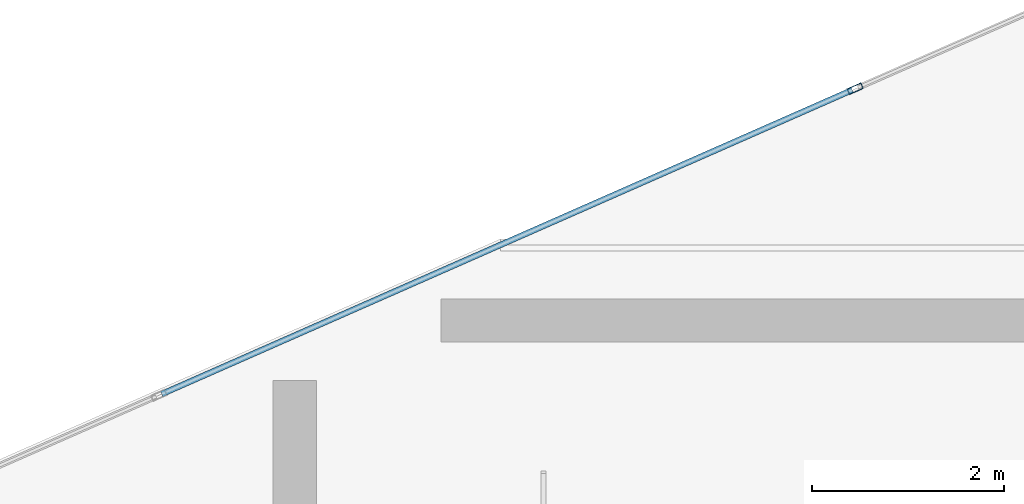
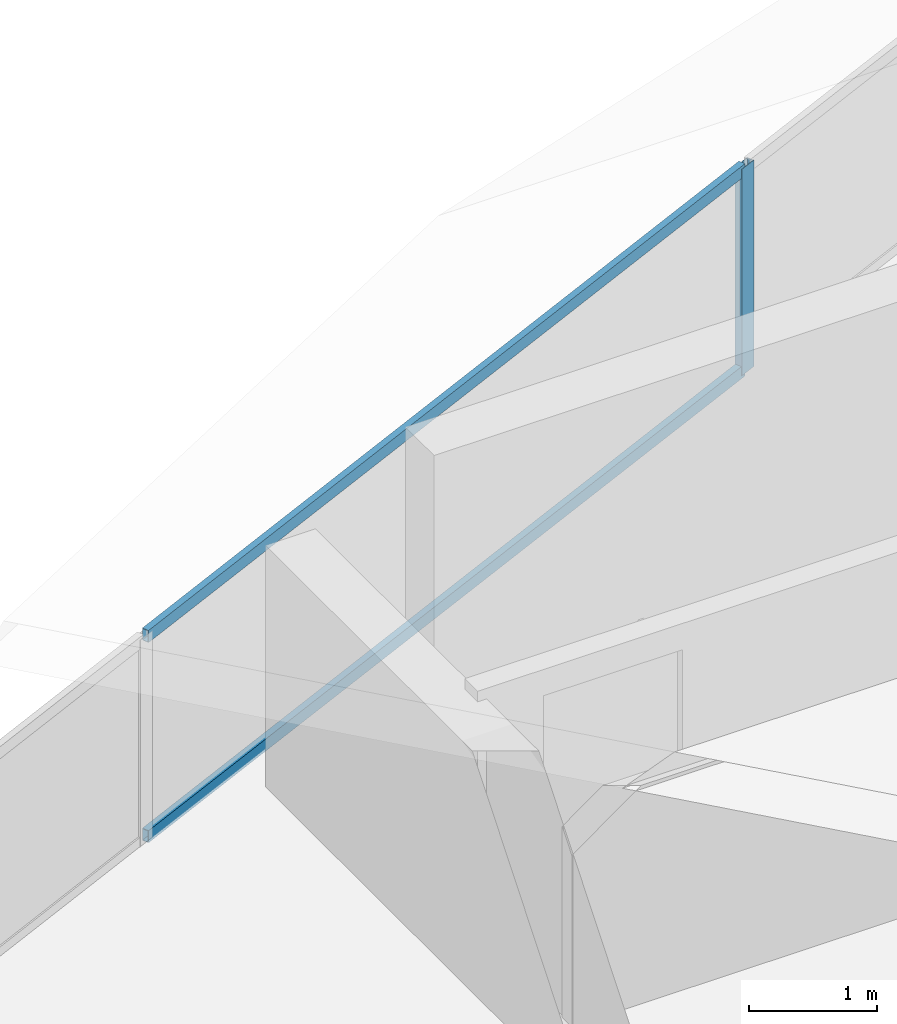
# One storey, part 8 of 13: 3 members, 1 element without a shape of its own.
"""IFC4 building model written with IfcOpenShell, lengths in metres."""

from ifc_helpers import new_model, si_unit, direction, frame, origin, origin_2d, place, context, subcontext, project, spatial, hollow_rectangle, extrude, material, layer, layer_set, material_profile, profile_set, type_object, element, aggregate, save


model = new_model("IFC4")

# Units and contexts
model_context = context("Model", 3, precision=1e-05, world=origin(), true_north=direction((0.0, 1.0)))
body_context = subcontext(model_context, "Body", "Model", "MODEL_VIEW")
ifc_project = project(units=[si_unit("LENGTHUNIT", "METRE"), si_unit("AREAUNIT", "SQUARE_METRE"), si_unit("VOLUMEUNIT", "CUBIC_METRE"), si_unit("PLANEANGLEUNIT", "RADIAN"), si_unit("MASSUNIT", "GRAM", prefix="KILO")], contexts=[model_context])

# Site, building, storey
site_placement = place(None, origin())
site = spatial("IfcSite", under=ifc_project, at=site_placement, CompositionType="ELEMENT")
building_placement = place(site_placement, origin())
building = spatial("IfcBuilding", under=site, at=building_placement, Name="Qianvela Tower", CompositionType="ELEMENT")
storey_placement = place(building_placement, frame((0.0, 0.0, 375.050048828125)))
storey = spatial("IfcBuildingStorey", under=building, at=storey_placement, Name="L97", CompositionType="ELEMENT", Elevation=375.050048828125)

# Curtain wall, members
ifc_material_1 = material(Name="Anodised Architectural Aluminium and Low-E Glass", Category="aluminium")
ifc_layer = layer(ifc_material_1, 0.159912109375)
ifc_layer_set = layer_set([ifc_layer], Name="Anodised Architectural Aluminium and Low-E Glass")
curtain_wall_type = type_object("IfcCurtainWallType", Name="CW-CROWN", PredefinedType="USERDEFINED", material=ifc_layer_set)
curtain_wall_placement = place(storey_placement, origin())
curtain_wall = element("IfcCurtainWall", 1, at=curtain_wall_placement, inside=storey, type_object=curtain_wall_type, Name="L97 CW-CROWN Curtain Wall 02", ObjectType="CURTAIN_WALL_SYSTEM", PredefinedType="USERDEFINED")
ifc_material_2 = material(Name="Anodised Architectural Aluminium 6063-T6", Category="aluminium")
ifc_material_profile_1 = material_profile(ifc_material_2, hollow_rectangle(XDim=0.06494140625, YDim=0.159912109375, WallThickness=0.0048828125, at=origin_2d()), Name="ALU-MULL-65x160")
ifc_profile_set_1 = profile_set([ifc_material_profile_1], Name="Anodised Architectural Aluminium 6063-T6")
member_type_1 = type_object("IfcMemberType", Name="CW-CROWN-MULL", PredefinedType="MULLION", material=ifc_profile_set_1)
member_1_placement = place(storey_placement, frame((35.40234375, 35.064453125, 0.0), z_axis=(0.0, 0.0, 1.0), x_axis=(0.402976602581, -0.915210280631, 0.0)))
member_1 = element("IfcMember", 2, at=member_1_placement, type_object=member_type_1, Name="CW-8 mullion 3", PredefinedType="MULLION", context=body_context, shape_type="SweptSolid", body=[
    extrude(hollow_rectangle(XDim=0.06494140625, YDim=0.159912109375, WallThickness=0.0048828125, at=origin_2d()), origin(), (0.0, 0.0, 1.0), 1.96630859375),
])
ifc_material_3 = material(Name="Anodised Architectural Aluminium 6063-T6", Category="aluminium")
ifc_material_profile_2 = material_profile(ifc_material_3, hollow_rectangle(XDim=0.06005859375, YDim=0.114990234375, WallThickness=0.00390625, at=origin_2d()), Name="ALU-TRAN-60x115")
ifc_profile_set_2 = profile_set([ifc_material_profile_2], Name="Anodised Architectural Aluminium 6063-T6")
member_type_2 = type_object("IfcMemberType", Name="CW-CROWN-TRAN", PredefinedType="USERDEFINED", material=ifc_profile_set_2)
member_2_placement = place(storey_placement, frame((35.37255859375, 35.05126953125, 0.030029296875), z_axis=(-0.915208916952, -0.402979699651, 0.0), x_axis=(0.402979699651, -0.915208916952, 0.0)))
member_2 = element("IfcMember", 3, at=member_2_placement, type_object=member_type_2, Name="CW-8 transom 3.1", ObjectType="TRANSOM", PredefinedType="USERDEFINED", context=body_context, shape_type="SweptSolid", body=[
    extrude(hollow_rectangle(XDim=0.06005859375, YDim=0.114990234375, WallThickness=0.00390625, at=origin_2d()), origin(), (0.0, 0.0, 1.0), 7.872802734375),
])
member_3_placement = place(storey_placement, frame((35.37255859375, 35.05126953125, 1.936279296875), z_axis=(-0.915208916952, -0.402979699651, 0.0), x_axis=(0.402979699651, -0.915208916952, 0.0)))
member_3 = element("IfcMember", 4, at=member_3_placement, type_object=member_type_2, Name="CW-8 transom 3.2", ObjectType="TRANSOM", PredefinedType="USERDEFINED", context=body_context, shape_type="SweptSolid", body=[
    extrude(hollow_rectangle(XDim=0.06005859375, YDim=0.114990234375, WallThickness=0.00390625, at=origin_2d()), origin(), (0.0, 0.0, 1.0), 7.872802734375),
])
aggregate(curtain_wall, [member_1, member_2, member_3])

save(model, "model.ifc")
